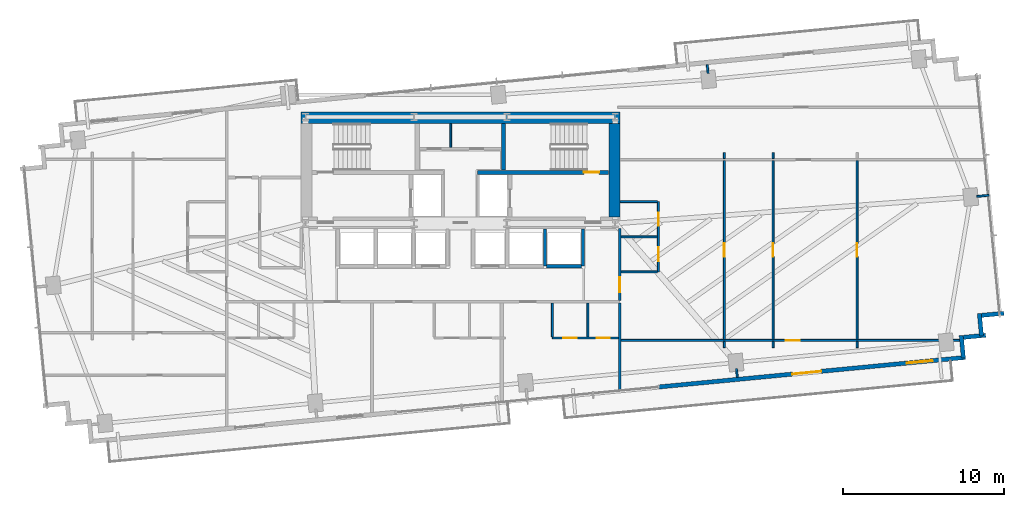
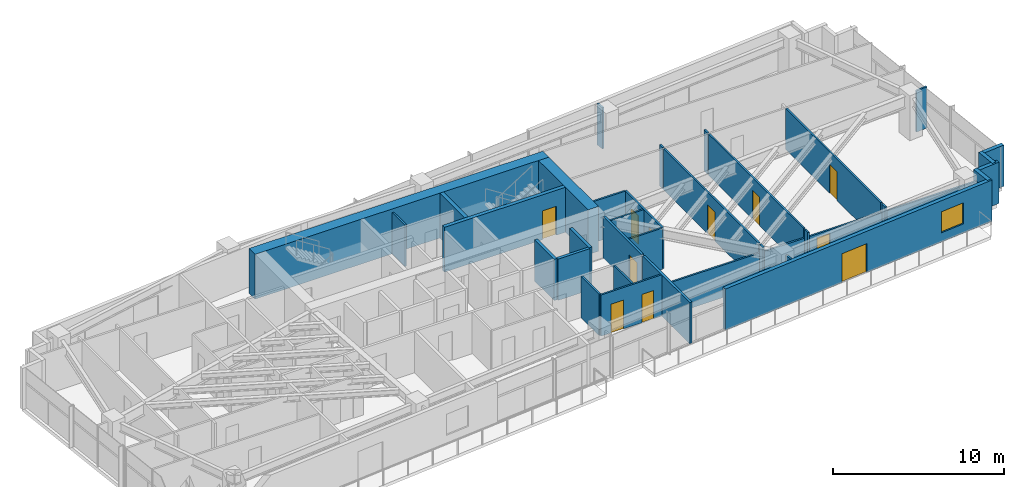
# One storey, part 21 of 25: 34 walls, 11 doors, 1 window, 12 openings.
"""IFC4 building model written with IfcOpenShell, lengths in metres."""

from ifc_helpers import new_model, si_unit, direction, frame, frame_2d, origin, place, context, subcontext, project, spatial, rectangle, extrude, source, transform, mapped, material, layer, layer_set, type_object, type_shapes, element, fill, save


model = new_model("IFC4")

# Units and contexts
model_context = context("Model", 3, precision=1e-05, world=origin(), true_north=direction((0.0, 1.0)))
body_context = subcontext(model_context, "Body", "Model", "MODEL_VIEW")
ifc_project = project(units=[si_unit("LENGTHUNIT", "METRE"), si_unit("AREAUNIT", "SQUARE_METRE"), si_unit("VOLUMEUNIT", "CUBIC_METRE"), si_unit("PLANEANGLEUNIT", "RADIAN"), si_unit("MASSUNIT", "GRAM", prefix="KILO")], contexts=[model_context])

# Site, building, storey
site_placement = place(None, origin())
site = spatial("IfcSite", under=ifc_project, at=site_placement, CompositionType="ELEMENT")
building_placement = place(site_placement, origin())
building = spatial("IfcBuilding", under=site, at=building_placement, Name="Astriad Promenade Condominiums", CompositionType="ELEMENT")
storey_placement = place(building_placement, frame((0.0, 0.0, 100.199951171875)))
storey = spatial("IfcBuildingStorey", under=building, at=storey_placement, Name="L28", CompositionType="ELEMENT", Elevation=100.199951171875)

# Walls
ifc_material_1 = material(Name="Concrete C60/75", Category="concrete")
ifc_layer_1 = layer(ifc_material_1, 0.699951171875)
ifc_layer_set_1 = layer_set([ifc_layer_1], Name="Concrete C60/75")
wall_type_1 = type_object("IfcWallType", Name="CW-SHEAR-700", PredefinedType="SHEAR", material=ifc_layer_set_1)
wall_1_placement = place(storey_placement, frame((26.10009765625, 23.949951171875, 0.0), z_axis=(0.0, 0.0, 1.0), x_axis=(1.0, 0.0, 0.0)))
element("IfcWall", 1, at=wall_1_placement, inside=storey, type_object=wall_type_1, Name="CW-CORE-N-L28", PredefinedType="SHEAR", context=body_context, shape_type="SweptSolid", body=[
    extrude(rectangle(XDim=19.7998046875, YDim=0.699951171875, at=frame_2d((9.89990234375, 0.0))), origin(), (0.0, 0.0, 1.0), 3.199951171875),
])
wall_2_placement = place(storey_placement, frame((45.550048828125, 17.802001953125, 0.0), z_axis=(0.0, 0.0, 1.0), x_axis=(0.0, 1.0, 0.0)))
element("IfcWall", 2, at=wall_2_placement, inside=storey, type_object=wall_type_1, Name="CW-CORE-E-L28", PredefinedType="SHEAR", context=body_context, shape_type="SweptSolid", body=[
    extrude(rectangle(XDim=5.7958984375, YDim=0.699951171875, at=frame_2d((2.89794921875, 0.0))), origin(), (0.0, 0.0, 1.0), 3.199951171875),
])

# Wall, opening, door
ifc_material_2 = material(Name="Concrete C50/60", Category="concrete")
ifc_layer_2 = layer(ifc_material_2, 0.25)
ifc_layer_set_2 = layer_set([ifc_layer_2], Name="Concrete C50/60")
wall_type_2 = type_object("IfcWallType", Name="WALL-CORE-INT-250", PredefinedType="SOLIDWALL", material=ifc_layer_set_2)
wall_3_placement = place(storey_placement, frame((37.050048828125, 20.574951171875, 0.0), z_axis=(0.0, 0.0, 1.0), x_axis=(1.0, 0.0, 0.0)))
wall_3 = element("IfcWall", 3, at=wall_3_placement, inside=storey, type_object=wall_type_2, Name="CW-INT-H2-L28", PredefinedType="SOLIDWALL", context=body_context, shape_type="SweptSolid", body=[
    extrude(rectangle(XDim=8.14794921875, YDim=0.25, at=frame_2d((4.073974609375, 0.0))), origin(), (0.0, 0.0, 1.0), 3.199951171875),
])
opening_1_placement = place(wall_3_placement, frame((6.60009765625, 0.0, 0.0)))
opening_1 = element("IfcOpeningElement", 4, at=opening_1_placement, cuts=wall_3, Name="Opening FD90-ST-095", PredefinedType="OPENING", context=body_context, shape_type="SweptSolid", body=[
    extrude(rectangle(XDim=0.949951171875, YDim=2.06005859375, at=frame_2d((0.47509765625, 1.030029296875))), frame((0.0, 0.135009765625, 0.0), z_axis=(0.0, -1.0, 0.0), x_axis=(1.0, 0.0, 0.0)), (0.0, 0.0, 1.0), 0.27001953125),
])
ifc_material_3 = material(Name="Fire-Rated Hollow Metal Stair Door")
door_type_1 = type_object("IfcDoorType", Name="FD90-ST-095", OperationType="NOTDEFINED", PredefinedType="DOOR", material=ifc_material_3)
shared_shape_1 = source(origin(), body_context, "Body", "SweptSolid", [
    extrude(rectangle(XDim=0.949951171875, YDim=2.06005859375, at=frame_2d((0.47509765625, 1.030029296875))), frame((0.0, 0.02490234375, 0.0), z_axis=(0.0, -1.0, 0.0), x_axis=(1.0, 0.0, 0.0)), (0.0, 0.0, 1.0), 0.050048828125),
])
type_shapes(door_type_1, [shared_shape_1])
door_1_placement = place(opening_1_placement, origin())
door_1 = element("IfcDoor", 5, at=door_1_placement, inside=storey, type_object=door_type_1, Name="D-ST2-L28", OperationType="SINGLE_SWING_RIGHT", OverallHeight=2.06005859375, OverallWidth=0.949951171875, PredefinedType="DOOR", context=body_context, shape_type="MappedRepresentation", body=[
    mapped(shared_shape_1, transform((0.0, 0.0, 0.0), scale=1.0)),
])
fill(opening_1, door_1)

# Walls
wall_4_placement = place(storey_placement, frame((38.675048828125, 20.701904296875, 0.0), z_axis=(0.0, 0.0, 1.0), x_axis=(0.0, 1.0, 0.0)))
element("IfcWall", 6, at=wall_4_placement, inside=storey, type_object=wall_type_2, Name="CW-ST2-W-L28", PredefinedType="SOLIDWALL", context=body_context, shape_type="SweptSolid", body=[
    extrude(rectangle(XDim=2.89599609375, YDim=0.25, at=frame_2d((1.447998046875, 0.0))), origin(), (0.0, 0.0, 1.0), 3.199951171875),
])
ifc_material_4 = material(Name="Fire-Rated Gypsum Partition")
ifc_layer_3 = layer(ifc_material_4, 0.159912109375)
ifc_layer_set_3 = layer_set([ifc_layer_3], Name="Fire-Rated Gypsum Partition")
wall_type_3 = type_object("IfcWallType", Name="WALL-CORR-160", PredefinedType="PARTITIONING", material=ifc_layer_set_3)
wall_5_placement = place(storey_placement, frame((45.8798828125, 6.977294921875, 0.0), z_axis=(0.0, 0.0, 1.0), x_axis=(0.0, 1.0, 0.0)))
element("IfcWall", 7, at=wall_5_placement, inside=storey, type_object=wall_type_3, Name="PT-COR-E-L28", PredefinedType="PARTITIONING", context=body_context, shape_type="SweptSolid", body=[
    extrude(rectangle(XDim=5.49072265625, YDim=0.159912109375, at=frame_2d((2.745361328125, 0.0))), origin(), (0.0, 0.0, 1.0), 2.93994140625),
])

# Wall, opening, door
wall_6_placement = place(storey_placement, frame((45.8798828125, 12.632080078125, 0.0), z_axis=(0.0, 0.0, 1.0), x_axis=(0.0, 1.0, 0.0)))
wall_6 = element("IfcWall", 8, at=wall_6_placement, inside=storey, type_object=wall_type_3, Name="PT-COR-E-L28-S2", PredefinedType="PARTITIONING", context=body_context, shape_type="SweptSolid", body=[
    extrude(rectangle(XDim=4.4658203125, YDim=0.159912109375, at=frame_2d((2.23291015625, 0.0))), origin(), (0.0, 0.0, 1.0), 2.93994140625),
])
opening_2_placement = place(wall_6_placement, frame((0.492919921875, 0.0, 0.0)))
opening_2 = element("IfcOpeningElement", 9, at=opening_2_placement, cuts=wall_6, Name="Opening FD60-APT-095", PredefinedType="OPENING", context=body_context, shape_type="SweptSolid", body=[
    extrude(rectangle(XDim=0.949951171875, YDim=2.06005859375, at=frame_2d((0.47509765625, 1.030029296875))), frame((0.0, 0.08984375, 0.0), z_axis=(0.0, -1.0, 0.0), x_axis=(1.0, 0.0, 0.0)), (0.0, 0.0, 1.0), 0.179931640625),
])
ifc_material_5 = material(Name="Solid-Core Acoustic Timber Residence Entry Door", Category="wood")
door_type_2 = type_object("IfcDoorType", Name="FD60-APT-095", OperationType="NOTDEFINED", PredefinedType="DOOR", material=ifc_material_5)
shared_shape_2 = source(origin(), body_context, "Body", "SweptSolid", [
    extrude(rectangle(XDim=0.949951171875, YDim=2.06005859375, at=frame_2d((0.47509765625, 1.030029296875))), frame((0.0, 0.02490234375, 0.0), z_axis=(0.0, -1.0, 0.0), x_axis=(1.0, 0.0, 0.0)), (0.0, 0.0, 1.0), 0.050048828125),
])
type_shapes(door_type_2, [shared_shape_2])
door_2_placement = place(opening_2_placement, origin())
door_2 = element("IfcDoor", 10, at=door_2_placement, inside=storey, type_object=door_type_2, Name="D-ENT-L28-E1", OperationType="SINGLE_SWING_RIGHT", OverallHeight=2.06005859375, OverallWidth=0.949951171875, PredefinedType="DOOR", context=body_context, shape_type="MappedRepresentation", body=[
    mapped(shared_shape_2, transform((0.0, 0.0, 0.0), scale=1.0)),
])
fill(opening_2, door_2)

# Walls
ifc_material_6 = material(Name="Precast concrete C50/60", Category="concrete")
ifc_layer_4 = layer(ifc_material_6, 0.260009765625)
ifc_layer_set_4 = layer_set([ifc_layer_4], Name="Precast concrete C50/60")
wall_type_4 = type_object("IfcWallType", Name="WALL-EXT-TWR-260", PredefinedType="STANDARD", material=ifc_layer_set_4)
for number, where, z_axis, x_axis, name in (
    (11, (69.698486328125, 11.83251953125, 0.0), (0.0, 0.0, 1.0), (-0.99540614245, -0.095742423056, 0.0), "W-SER-L28-14"),
    (12, (68.18310546875, 11.817138671875, 0.0), (0.0, 0.0, 1.0), (0.095915846097, -0.995389446633, 0.0), "W-SER-L28-15"),
):
    element("IfcWall", number, at=place(storey_placement, frame(where, z_axis=z_axis, x_axis=x_axis)), inside=storey, type_object=wall_type_4, Name=name, PredefinedType="STANDARD", context=body_context, shape_type="SweptSolid", body=[
        extrude(rectangle(XDim=1.394775390625, YDim=0.260009765625, at=frame_2d((0.697265625, 0.0))), origin(), (0.0, 0.0, 1.0), 2.93994140625),
    ])
wall_7_placement = place(storey_placement, frame((68.57421875, 10.468505859375, 0.0), z_axis=(0.0, 0.0, 1.0), x_axis=(-0.99540774648, -0.095725744959, 0.0)))
element("IfcWall", 13, at=wall_7_placement, inside=storey, type_object=wall_type_4, Name="W-SER-L28-16", PredefinedType="STANDARD", context=body_context, shape_type="SweptSolid", body=[
    extrude(rectangle(XDim=1.39501953125, YDim=0.260009765625, at=frame_2d((0.697509765625, 0.0))), origin(), (0.0, 0.0, 1.0), 2.93994140625),
])
wall_8_placement = place(storey_placement, frame((67.05859375, 10.453125, 0.0), z_axis=(0.0, 0.0, 1.0), x_axis=(0.095915846097, -0.995389446633, 0.0)))
element("IfcWall", 14, at=wall_8_placement, inside=storey, type_object=wall_type_4, Name="W-SER-L28-17", PredefinedType="STANDARD", context=body_context, shape_type="SweptSolid", body=[
    extrude(rectangle(XDim=1.394775390625, YDim=0.260009765625, at=frame_2d((0.697265625, 0.0))), origin(), (0.0, 0.0, 1.0), 2.93994140625),
])

# Wall, openings, door, window
wall_9_placement = place(storey_placement, frame((67.3203125, 9.092041015625, 0.0), z_axis=(0.0, 0.0, 1.0), x_axis=(-0.995396521236, -0.095842399342, 0.0)))
wall_9 = element("IfcWall", 15, at=wall_9_placement, inside=storey, type_object=wall_type_4, Name="W-EXT-L28-S1", PredefinedType="STANDARD", context=body_context, shape_type="SweptSolid", body=[
    extrude(rectangle(XDim=19.10986328125, YDim=0.260009765625, at=frame_2d((9.554931640625, 0.0))), origin(), (0.0, 0.0, 1.0), 2.93994140625),
])
opening_3_placement = place(wall_9_placement, frame((8.97900390625, 0.0, 0.0)))
opening_3 = element("IfcOpeningElement", 16, at=opening_3_placement, cuts=wall_9, Name="Opening BD-1822-SLD", PredefinedType="OPENING", context=body_context, shape_type="SweptSolid", body=[
    extrude(rectangle(XDim=1.800048828125, YDim=2.06005859375, at=frame_2d((0.89990234375, 1.030029296875))), frame((0.0, 0.139892578125, 0.0), z_axis=(0.0, -1.0, 0.0), x_axis=(1.0, 0.0, 0.0)), (0.0, 0.0, 1.0), 0.280029296875),
])
opening_4_placement = place(wall_9_placement, frame((2.050048828125, 0.0, 0.64990234375)))
opening_4 = element("IfcOpeningElement", 17, at=opening_4_placement, cuts=wall_9, Name="Opening WIN-TWR-1620", PredefinedType="OPENING", context=body_context, shape_type="SweptSolid", body=[
    extrude(rectangle(XDim=1.60009765625, YDim=1.5, at=frame_2d((0.800048828125, 0.75))), frame((0.0, 0.139892578125, 0.0), z_axis=(0.0, -1.0, 0.0), x_axis=(1.0, 0.0, 0.0)), (0.0, 0.0, 1.0), 0.280029296875),
])
ifc_material_7 = material(Name="Thermally Broken Aluminium Sliding Balcony Door", Category="aluminium")
door_type_3 = type_object("IfcDoorType", Name="BD-1822-SLD", OperationType="NOTDEFINED", PredefinedType="DOOR", material=ifc_material_7)
shared_shape_3 = source(origin(), body_context, "Body", "SweptSolid", [
    extrude(rectangle(XDim=1.800048828125, YDim=2.06005859375, at=frame_2d((0.89990234375, 1.030029296875))), frame((0.0, 0.02490234375, 0.0), z_axis=(0.0, -1.0, 0.0), x_axis=(1.0, 0.0, 0.0)), (0.0, 0.0, 1.0), 0.050048828125),
])
type_shapes(door_type_3, [shared_shape_3])
door_3_placement = place(opening_3_placement, origin())
door_3 = element("IfcDoor", 18, at=door_3_placement, inside=storey, type_object=door_type_3, Name="BD-L28-SE", OperationType="SLIDING_TO_RIGHT", OverallHeight=2.06005859375, OverallWidth=1.800048828125, PredefinedType="DOOR", context=body_context, shape_type="MappedRepresentation", body=[
    mapped(shared_shape_3, transform((0.0, 0.0, 0.0), scale=1.0)),
])
fill(opening_3, door_3)
ifc_material_8 = material(Name="Dark Tinted Triple-Glazed Aluminium Window", Category="aluminium")
window_type = type_object("IfcWindowType", Name="WIN-TWR-1620", PartitioningType="SINGLE_PANEL", PredefinedType="WINDOW", material=ifc_material_8)
shared_shape_4 = source(origin(), body_context, "Body", "SweptSolid", [
    extrude(rectangle(XDim=1.60009765625, YDim=1.5, at=frame_2d((0.800048828125, 0.75))), frame((0.0, 0.030029296875, 0.0), z_axis=(0.0, -1.0, 0.0), x_axis=(1.0, 0.0, 0.0)), (0.0, 0.0, 1.0), 0.06005859375),
])
type_shapes(window_type, [shared_shape_4])
window_placement = place(opening_4_placement, origin())
window = element("IfcWindow", 19, at=window_placement, inside=storey, type_object=window_type, Name="WIN-L28-SE", OverallHeight=1.5, OverallWidth=1.60009765625, PartitioningType="SINGLE_PANEL", PredefinedType="WINDOW", context=body_context, shape_type="MappedRepresentation", body=[
    mapped(shared_shape_4, transform((0.0, 0.0, 0.0), scale=1.0)),
])
fill(opening_4, window)

# Wall
ifc_material_9 = material(Name="Acoustic Metal-Stud Gypsum Partition")
ifc_layer_5 = layer(ifc_material_9, 0.1201171875)
ifc_layer_set_5 = layer_set([ifc_layer_5], Name="Acoustic Metal-Stud Gypsum Partition")
wall_type_5 = type_object("IfcWallType", Name="WALL-PART-120", PredefinedType="PARTITIONING", material=ifc_layer_set_5)
wall_10_placement = place(storey_placement, frame((35.39990234375, 22.112060546875, 0.0), z_axis=(0.0, 0.0, 1.0), x_axis=(0.0, 1.0, 0.0)))
element("IfcWall", 20, at=wall_10_placement, inside=storey, type_object=wall_type_5, Name="CW-AUX-V1-L28", PredefinedType="PARTITIONING", context=body_context, shape_type="SweptSolid", body=[
    extrude(rectangle(XDim=1.48583984375, YDim=0.1201171875, at=frame_2d((0.742919921875, 0.0))), origin(), (0.0, 0.0, 1.0), 2.93994140625),
])

# Wall, openings, doors
wall_11_placement = place(storey_placement, frame((41.699951171875, 10.300048828125, 0.0), z_axis=(0.0, 0.0, 1.0), x_axis=(1.0, 0.0, 0.0)))
wall_11 = element("IfcWall", 21, at=wall_11_placement, inside=storey, type_object=wall_type_5, Name="PT-L28-S3-PS", PredefinedType="PARTITIONING", context=body_context, shape_type="SweptSolid", body=[
    extrude(rectangle(XDim=4.09814453125, YDim=0.1201171875, at=frame_2d((2.049072265625, 0.0))), origin(), (0.0, 0.0, 1.0), 2.93994140625),
])
opening_5_placement = place(wall_11_placement, frame((0.675048828125, 0.0, 0.0)))
opening_5 = element("IfcOpeningElement", 22, at=opening_5_placement, cuts=wall_11, Name="Opening D-INT-085", PredefinedType="OPENING", context=body_context, shape_type="SweptSolid", body=[
    extrude(rectangle(XDim=0.85009765625, YDim=2.050048828125, at=frame_2d((0.425048828125, 1.02490234375))), frame((0.0, 0.070068359375, 0.0), z_axis=(0.0, -1.0, 0.0), x_axis=(1.0, 0.0, 0.0)), (0.0, 0.0, 1.0), 0.14013671875),
])
opening_6_placement = place(wall_11_placement, frame((2.75, 0.0, 0.0)))
opening_6 = element("IfcOpeningElement", 23, at=opening_6_placement, cuts=wall_11, Name="Opening D-WET-080", PredefinedType="OPENING", context=body_context, shape_type="SweptSolid", body=[
    extrude(rectangle(XDim=0.800048828125, YDim=2.02001953125, at=frame_2d((0.39990234375, 1.010009765625))), frame((0.0, 0.070068359375, 0.0), z_axis=(0.0, -1.0, 0.0), x_axis=(1.0, 0.0, 0.0)), (0.0, 0.0, 1.0), 0.14013671875),
])
ifc_material_10 = material(Name="Moisture-Resistant Timber Bathroom Door", Category="wood")
door_type_4 = type_object("IfcDoorType", Name="D-WET-080", OperationType="NOTDEFINED", PredefinedType="DOOR", material=ifc_material_10)
shared_shape_5 = source(origin(), body_context, "Body", "SweptSolid", [
    extrude(rectangle(XDim=0.800048828125, YDim=2.02001953125, at=frame_2d((0.39990234375, 1.010009765625))), frame((0.0, 0.02490234375, 0.0), z_axis=(0.0, -1.0, 0.0), x_axis=(1.0, 0.0, 0.0)), (0.0, 0.0, 1.0), 0.050048828125),
])
type_shapes(door_type_4, [shared_shape_5])
door_4_placement = place(opening_6_placement, origin())
door_4 = element("IfcDoor", 24, at=door_4_placement, inside=storey, type_object=door_type_4, Name="D-BTH-L28-S3", OperationType="SINGLE_SWING_LEFT", OverallHeight=2.02001953125, OverallWidth=0.800048828125, PredefinedType="DOOR", context=body_context, shape_type="MappedRepresentation", body=[
    mapped(shared_shape_5, transform((0.0, 0.0, 0.0), scale=1.0)),
])
fill(opening_6, door_4)
ifc_material_11 = material(Name="Painted Solid-Core Timber Room Door", Category="wood")
door_type_5 = type_object("IfcDoorType", Name="D-INT-085", OperationType="NOTDEFINED", PredefinedType="DOOR", material=ifc_material_11)
shared_shape_6 = source(origin(), body_context, "Body", "SweptSolid", [
    extrude(rectangle(XDim=0.85009765625, YDim=2.050048828125, at=frame_2d((0.425048828125, 1.02490234375))), frame((0.0, 0.02490234375, 0.0), z_axis=(0.0, -1.0, 0.0), x_axis=(1.0, 0.0, 0.0)), (0.0, 0.0, 1.0), 0.050048828125),
])
type_shapes(door_type_5, [shared_shape_6])
door_5_placement = place(opening_5_placement, origin())
door_5 = element("IfcDoor", 25, at=door_5_placement, inside=storey, type_object=door_type_5, Name="D-KIT-L28-S3", OperationType="SINGLE_SWING_RIGHT", OverallHeight=2.050048828125, OverallWidth=0.85009765625, PredefinedType="DOOR", context=body_context, shape_type="MappedRepresentation", body=[
    mapped(shared_shape_6, transform((0.0, 0.0, 0.0), scale=1.0)),
])
fill(opening_5, door_5)

# Walls
for number, where, z_axis, x_axis, name in (
    (26, (41.699951171875, 10.362060546875, 0.0), (0.0, 0.0, 1.0), (0.0, 1.0, 0.0), "PT-L28-S3-PK"),
    (27, (43.89990234375, 10.362060546875, 0.0), (0.0, 0.0, 1.0), (0.0, 1.0, 0.0), "PT-L28-S3-PB"),
):
    element("IfcWall", number, at=place(storey_placement, frame(where, z_axis=z_axis, x_axis=x_axis)), inside=storey, type_object=wall_type_5, Name=name, PredefinedType="PARTITIONING", context=body_context, shape_type="SweptSolid", body=[
        extrude(rectangle(XDim=2.10595703125, YDim=0.1201171875, at=frame_2d((1.052978515625, 0.0))), origin(), (0.0, 0.0, 1.0), 2.93994140625),
    ])

# Wall, openings, doors
wall_12_placement = place(storey_placement, frame((48.280029296875, 14.39990234375, 0.0), z_axis=(0.0, 0.0, 1.0), x_axis=(0.0, 1.0, 0.0)))
wall_12 = element("IfcWall", 28, at=wall_12_placement, inside=storey, type_object=wall_type_5, Name="PT-L28-E1-PV", PredefinedType="PARTITIONING", context=body_context, shape_type="SweptSolid", body=[
    extrude(rectangle(XDim=4.35009765625, YDim=0.1201171875, at=frame_2d((2.175048828125, 0.0))), origin(), (0.0, 0.0, 1.0), 2.93994140625),
])
opening_7_placement = place(wall_12_placement, frame((0.6630859375, 0.0, 0.0)))
opening_7 = element("IfcOpeningElement", 29, at=opening_7_placement, cuts=wall_12, Name="Opening D-INT-085", PredefinedType="OPENING", context=body_context, shape_type="SweptSolid", body=[
    extrude(rectangle(XDim=0.85009765625, YDim=2.050048828125, at=frame_2d((0.425048828125, 1.02490234375))), frame((0.0, 0.070068359375, 0.0), z_axis=(0.0, -1.0, 0.0), x_axis=(1.0, 0.0, 0.0)), (0.0, 0.0, 1.0), 0.14013671875),
])
opening_8_placement = place(wall_12_placement, frame((2.863037109375, 0.0, 0.0)))
opening_8 = element("IfcOpeningElement", 30, at=opening_8_placement, cuts=wall_12, Name="Opening D-WET-080", PredefinedType="OPENING", context=body_context, shape_type="SweptSolid", body=[
    extrude(rectangle(XDim=0.800048828125, YDim=2.02001953125, at=frame_2d((0.39990234375, 1.010009765625))), frame((0.0, 0.070068359375, 0.0), z_axis=(0.0, -1.0, 0.0), x_axis=(1.0, 0.0, 0.0)), (0.0, 0.0, 1.0), 0.14013671875),
])
door_6_placement = place(opening_8_placement, origin())
door_6 = element("IfcDoor", 31, at=door_6_placement, inside=storey, type_object=door_type_4, Name="D-BTH-L28-E1", OperationType="SINGLE_SWING_RIGHT", OverallHeight=2.02001953125, OverallWidth=0.800048828125, PredefinedType="DOOR", context=body_context, shape_type="MappedRepresentation", body=[
    mapped(shared_shape_5, transform((0.0, 0.0, 0.0), scale=1.0)),
])
fill(opening_8, door_6)
door_7_placement = place(opening_7_placement, origin())
door_7 = element("IfcDoor", 32, at=door_7_placement, inside=storey, type_object=door_type_5, Name="D-KIT-L28-E1", OperationType="SINGLE_SWING_LEFT", OverallHeight=2.050048828125, OverallWidth=0.85009765625, PredefinedType="DOOR", context=body_context, shape_type="MappedRepresentation", body=[
    mapped(shared_shape_6, transform((0.0, 0.0, 0.0), scale=1.0)),
])
fill(opening_7, door_7)

# Walls
for number, where, z_axis, x_axis, name in (
    (33, (45.9619140625, 16.574951171875, 0.0), (0.0, 0.0, 1.0), (1.0, 0.0, 0.0), "PT-L28-E1-PM"),
    (34, (45.9619140625, 14.39990234375, 0.0), (0.0, 0.0, 1.0), (1.0, 0.0, 0.0), "PT-L28-E1-PS"),
):
    element("IfcWall", number, at=place(storey_placement, frame(where, z_axis=z_axis, x_axis=x_axis)), inside=storey, type_object=wall_type_5, Name=name, PredefinedType="PARTITIONING", context=body_context, shape_type="SweptSolid", body=[
        extrude(rectangle(XDim=2.256103515625, YDim=0.1201171875, at=frame_2d((1.1279296875, 0.0))), origin(), (0.0, 0.0, 1.0), 2.93994140625),
    ])
wall_13_placement = place(storey_placement, frame((45.902099609375, 18.75, 0.0), z_axis=(0.0, 0.0, 1.0), x_axis=(1.0, 0.0, 0.0)))
element("IfcWall", 35, at=wall_13_placement, inside=storey, type_object=wall_type_5, Name="PT-L28-E1-PN", PredefinedType="PARTITIONING", context=body_context, shape_type="SweptSolid", body=[
    extrude(rectangle(XDim=2.31591796875, YDim=0.1201171875, at=frame_2d((1.157958984375, 0.0))), origin(), (0.0, 0.0, 1.0), 2.93994140625),
])

# Wall, opening, door
wall_14_placement = place(storey_placement, frame((45.9619140625, 10.14697265625, 0.0), z_axis=(0.0, 0.0, 1.0), x_axis=(1.0, 0.0, 0.0)))
wall_14 = element("IfcWall", 36, at=wall_14_placement, inside=storey, type_object=wall_type_5, Name="PT-L28-E1-WDS3", PredefinedType="PARTITIONING", context=body_context, shape_type="SweptSolid", body=[
    extrude(rectangle(XDim=20.99365234375, YDim=0.1201171875, at=frame_2d((10.496826171875, 0.0))), origin(), (0.0, 0.0, 1.0), 2.31005859375),
])
opening_9_placement = place(wall_14_placement, frame((10.22705078125, 0.0, 0.0)))
opening_9 = element("IfcOpeningElement", 37, at=opening_9_placement, cuts=wall_14, Name="Opening D-INT-085", PredefinedType="OPENING", context=body_context, shape_type="SweptSolid", body=[
    extrude(rectangle(XDim=0.85009765625, YDim=2.050048828125, at=frame_2d((0.425048828125, 1.02490234375))), frame((0.0, 0.070068359375, 0.0), z_axis=(0.0, -1.0, 0.0), x_axis=(1.0, 0.0, 0.0)), (0.0, 0.0, 1.0), 0.14013671875),
])
door_8_placement = place(opening_9_placement, origin())
door_8 = element("IfcDoor", 38, at=door_8_placement, inside=storey, type_object=door_type_5, Name="D-WDS3-L28-E1", OperationType="SINGLE_SWING_LEFT", OverallHeight=2.050048828125, OverallWidth=0.85009765625, PredefinedType="DOOR", context=body_context, shape_type="MappedRepresentation", body=[
    mapped(shared_shape_6, transform((0.0, 0.0, 0.0), scale=1.0)),
])
fill(opening_9, door_8)

# Wall
wall_15_placement = place(storey_placement, frame((60.596923828125, 9.70703125, 0.0), z_axis=(0.0, 0.0, 1.0), x_axis=(0.0, 1.0, 0.0)))
element("IfcWall", 39, at=wall_15_placement, inside=storey, type_object=wall_type_5, Name="PT-L28-E1-WDV4", PredefinedType="PARTITIONING", context=body_context, shape_type="SweptSolid", body=[
    extrude(rectangle(XDim=0.3779296875, YDim=0.1201171875, at=frame_2d((0.18896484375, 0.0))), origin(), (0.0, 0.0, 1.0), 2.93994140625),
])

# Wall, opening, door
wall_16_placement = place(storey_placement, frame((60.596923828125, 10.208984375, 0.0), z_axis=(0.0, 0.0, 1.0), x_axis=(0.0, 1.0, 0.0)))
wall_16 = element("IfcWall", 40, at=wall_16_placement, inside=storey, type_object=wall_type_5, Name="PT-L28-E1-WDV4-S2", PredefinedType="PARTITIONING", context=body_context, shape_type="SweptSolid", body=[
    extrude(rectangle(XDim=11.0869140625, YDim=0.1201171875, at=frame_2d((5.54345703125, 0.0))), origin(), (0.0, 0.0, 1.0), 2.93994140625),
])
opening_10_placement = place(wall_16_placement, frame((5.117919921875, 0.0, 0.0)))
opening_10 = element("IfcOpeningElement", 41, at=opening_10_placement, cuts=wall_16, Name="Opening D-INT-085", PredefinedType="OPENING", context=body_context, shape_type="SweptSolid", body=[
    extrude(rectangle(XDim=0.85009765625, YDim=2.050048828125, at=frame_2d((0.425048828125, 1.02490234375))), frame((0.0, 0.070068359375, 0.0), z_axis=(0.0, -1.0, 0.0), x_axis=(1.0, 0.0, 0.0)), (0.0, 0.0, 1.0), 0.14013671875),
])
door_9_placement = place(opening_10_placement, origin())
door_9 = element("IfcDoor", 42, at=door_9_placement, inside=storey, type_object=door_type_5, Name="D-WDV4-L28-E1", OperationType="SINGLE_SWING_RIGHT", OverallHeight=2.050048828125, OverallWidth=0.85009765625, PredefinedType="DOOR", context=body_context, shape_type="MappedRepresentation", body=[
    mapped(shared_shape_6, transform((0.0, 0.0, 0.0), scale=1.0)),
])
fill(opening_10, door_9)

# Wall
wall_17_placement = place(storey_placement, frame((55.388916015625, 9.70703125, 0.0), z_axis=(0.0, 0.0, 1.0), x_axis=(0.0, 1.0, 0.0)))
element("IfcWall", 43, at=wall_17_placement, inside=storey, type_object=wall_type_5, Name="PT-L28-E1-WDV5", PredefinedType="PARTITIONING", context=body_context, shape_type="SweptSolid", body=[
    extrude(rectangle(XDim=0.3779296875, YDim=0.1201171875, at=frame_2d((0.18896484375, 0.0))), origin(), (0.0, 0.0, 1.0), 2.93994140625),
])

# Wall, opening, door
wall_18_placement = place(storey_placement, frame((55.388916015625, 10.208984375, 0.0), z_axis=(0.0, 0.0, 1.0), x_axis=(0.0, 1.0, 0.0)))
wall_18 = element("IfcWall", 44, at=wall_18_placement, inside=storey, type_object=wall_type_5, Name="PT-L28-E1-WDV5-S2", PredefinedType="PARTITIONING", context=body_context, shape_type="SweptSolid", body=[
    extrude(rectangle(XDim=11.0869140625, YDim=0.1201171875, at=frame_2d((5.54345703125, 0.0))), origin(), (0.0, 0.0, 1.0), 2.93994140625),
])
opening_11_placement = place(wall_18_placement, frame((5.117919921875, 0.0, 0.0)))
opening_11 = element("IfcOpeningElement", 45, at=opening_11_placement, cuts=wall_18, Name="Opening D-INT-085", PredefinedType="OPENING", context=body_context, shape_type="SweptSolid", body=[
    extrude(rectangle(XDim=0.85009765625, YDim=2.050048828125, at=frame_2d((0.425048828125, 1.02490234375))), frame((0.0, 0.070068359375, 0.0), z_axis=(0.0, -1.0, 0.0), x_axis=(1.0, 0.0, 0.0)), (0.0, 0.0, 1.0), 0.14013671875),
])
door_10_placement = place(opening_11_placement, origin())
door_10 = element("IfcDoor", 46, at=door_10_placement, inside=storey, type_object=door_type_5, Name="D-WDV5-L28-E1", OperationType="SINGLE_SWING_LEFT", OverallHeight=2.050048828125, OverallWidth=0.85009765625, PredefinedType="DOOR", context=body_context, shape_type="MappedRepresentation", body=[
    mapped(shared_shape_6, transform((0.0, 0.0, 0.0), scale=1.0)),
])
fill(opening_11, door_10)

# Walls
wall_19_placement = place(storey_placement, frame((55.388916015625, 21.419921875, 0.0), z_axis=(0.0, 0.0, 1.0), x_axis=(0.0, 1.0, 0.0)))
element("IfcWall", 47, at=wall_19_placement, inside=storey, type_object=wall_type_5, Name="PT-L28-E1-WDV5-S3", PredefinedType="PARTITIONING", context=body_context, shape_type="SweptSolid", body=[
    extrude(rectangle(XDim=0.378173828125, YDim=0.1201171875, at=frame_2d((0.18896484375, 0.0))), origin(), (0.0, 0.0, 1.0), 2.93994140625),
])
wall_20_placement = place(storey_placement, frame((52.367919921875, 9.70703125, 0.0), z_axis=(0.0, 0.0, 1.0), x_axis=(0.0, 1.0, 0.0)))
element("IfcWall", 48, at=wall_20_placement, inside=storey, type_object=wall_type_5, Name="PT-L28-E1-WDV6", PredefinedType="PARTITIONING", context=body_context, shape_type="SweptSolid", body=[
    extrude(rectangle(XDim=0.3779296875, YDim=0.1201171875, at=frame_2d((0.18896484375, 0.0))), origin(), (0.0, 0.0, 1.0), 2.93994140625),
])

# Wall, opening, door
wall_21_placement = place(storey_placement, frame((52.367919921875, 10.208984375, 0.0), z_axis=(0.0, 0.0, 1.0), x_axis=(0.0, 1.0, 0.0)))
wall_21 = element("IfcWall", 49, at=wall_21_placement, inside=storey, type_object=wall_type_5, Name="PT-L28-E1-WDV6-S2", PredefinedType="PARTITIONING", context=body_context, shape_type="SweptSolid", body=[
    extrude(rectangle(XDim=11.0869140625, YDim=0.1201171875, at=frame_2d((5.54345703125, 0.0))), origin(), (0.0, 0.0, 1.0), 2.93994140625),
])
opening_12_placement = place(wall_21_placement, frame((5.117919921875, 0.0, 0.0)))
opening_12 = element("IfcOpeningElement", 50, at=opening_12_placement, cuts=wall_21, Name="Opening D-INT-085", PredefinedType="OPENING", context=body_context, shape_type="SweptSolid", body=[
    extrude(rectangle(XDim=0.85009765625, YDim=2.050048828125, at=frame_2d((0.425048828125, 1.02490234375))), frame((0.0, 0.070068359375, 0.0), z_axis=(0.0, -1.0, 0.0), x_axis=(1.0, 0.0, 0.0)), (0.0, 0.0, 1.0), 0.14013671875),
])
door_11_placement = place(opening_12_placement, origin())
door_11 = element("IfcDoor", 51, at=door_11_placement, inside=storey, type_object=door_type_5, Name="D-WDV6-L28-E1", OperationType="SINGLE_SWING_RIGHT", OverallHeight=2.050048828125, OverallWidth=0.85009765625, PredefinedType="DOOR", context=body_context, shape_type="MappedRepresentation", body=[
    mapped(shared_shape_6, transform((0.0, 0.0, 0.0), scale=1.0)),
])
fill(opening_12, door_11)

# Walls
wall_22_placement = place(storey_placement, frame((52.367919921875, 21.419921875, 0.0), z_axis=(0.0, 0.0, 1.0), x_axis=(0.0, 1.0, 0.0)))
element("IfcWall", 52, at=wall_22_placement, inside=storey, type_object=wall_type_5, Name="PT-L28-E1-WDV6-S3", PredefinedType="PARTITIONING", context=body_context, shape_type="SweptSolid", body=[
    extrude(rectangle(XDim=0.378173828125, YDim=0.1201171875, at=frame_2d((0.18896484375, 0.0))), origin(), (0.0, 0.0, 1.0), 2.93994140625),
])
wall_23_placement = place(storey_placement, frame((53.121337890625, 8.39794921875, 0.0), z_axis=(0.0, 0.0, 1.0), x_axis=(0.096179204763, -0.995364034196, 0.0)))
element("IfcWall", 53, at=wall_23_placement, inside=storey, type_object=wall_type_5, Name="PT-PIL-L28-PC04-11", PredefinedType="PARTITIONING", context=body_context, shape_type="SweptSolid", body=[
    extrude(rectangle(XDim=0.5380859375, YDim=0.1201171875, at=frame_2d((0.26904296875, 0.0))), origin(), (0.0, 0.0, 1.0), 2.93994140625),
])
wall_24_placement = place(storey_placement, frame((51.35791015625, 26.71337890625, 0.0), z_axis=(0.0, 0.0, 1.0), x_axis=(-0.095772948675, 0.995403205893, 0.0)))
element("IfcWall", 54, at=wall_24_placement, inside=storey, type_object=wall_type_5, Name="PT-PIL-L28-PC09-16", PredefinedType="PARTITIONING", context=body_context, shape_type="SweptSolid", body=[
    extrude(rectangle(XDim=0.537841796875, YDim=0.1201171875, at=frame_2d((0.26904296875, 0.0))), origin(), (0.0, 0.0, 1.0), 2.93994140625),
])
wall_25_placement = place(storey_placement, frame((68.026611328125, 19.07568359375, 0.0), z_axis=(0.0, 0.0, 1.0), x_axis=(0.995377786728, 0.096036772582, 0.0)))
element("IfcWall", 55, at=wall_25_placement, inside=storey, type_object=wall_type_5, Name="PT-PIL-L28-PC12-19", PredefinedType="PARTITIONING", context=body_context, shape_type="SweptSolid", body=[
    extrude(rectangle(XDim=0.760009765625, YDim=0.1201171875, at=frame_2d((0.3798828125, 0.0))), origin(), (0.0, 0.0, 1.0), 2.93994140625),
])
ifc_material_12 = material(Name="Gypsum Shaftliner Assembly")
ifc_layer_6 = layer(ifc_material_12, 0.199951171875)
ifc_layer_set_6 = layer_set([ifc_layer_6], Name="Gypsum Shaftliner Assembly")
wall_type_6 = type_object("IfcWallType", Name="WALL-SHAFT-200", PredefinedType="PARTITIONING", material=ifc_layer_set_6)
for number, where, z_axis, x_axis, name in (
    (56, (41.25, 14.75, 0.0), (0.0, 0.0, 1.0), (0.0, 1.0, 0.0), "PL-H-DIV-L28"),
    (57, (43.60009765625, 14.75, 0.0), (0.0, 0.0, 1.0), (0.0, 1.0, 0.0), "PL-E-OUT-L28"),
):
    element("IfcWall", number, at=place(storey_placement, frame(where, z_axis=z_axis, x_axis=x_axis)), inside=storey, type_object=wall_type_6, Name=name, PredefinedType="PARTITIONING", context=body_context, shape_type="SweptSolid", body=[
        extrude(rectangle(XDim=2.300048828125, YDim=0.199951171875, at=frame_2d((1.14990234375, 0.0))), origin(), (0.0, 0.0, 1.0), 2.93994140625),
    ])
wall_26_placement = place(storey_placement, frame((41.35205078125, 14.75, 0.0), z_axis=(0.0, 0.0, 1.0), x_axis=(1.0, 0.0, 0.0)))
element("IfcWall", 58, at=wall_26_placement, inside=storey, type_object=wall_type_6, Name="PL-H-FRT-L28-S2", PredefinedType="PARTITIONING", context=body_context, shape_type="SweptSolid", body=[
    extrude(rectangle(XDim=2.14599609375, YDim=0.199951171875, at=frame_2d((1.072998046875, 0.0))), origin(), (0.0, 0.0, 1.0), 2.93994140625),
])

save(model, "model.ifc")
